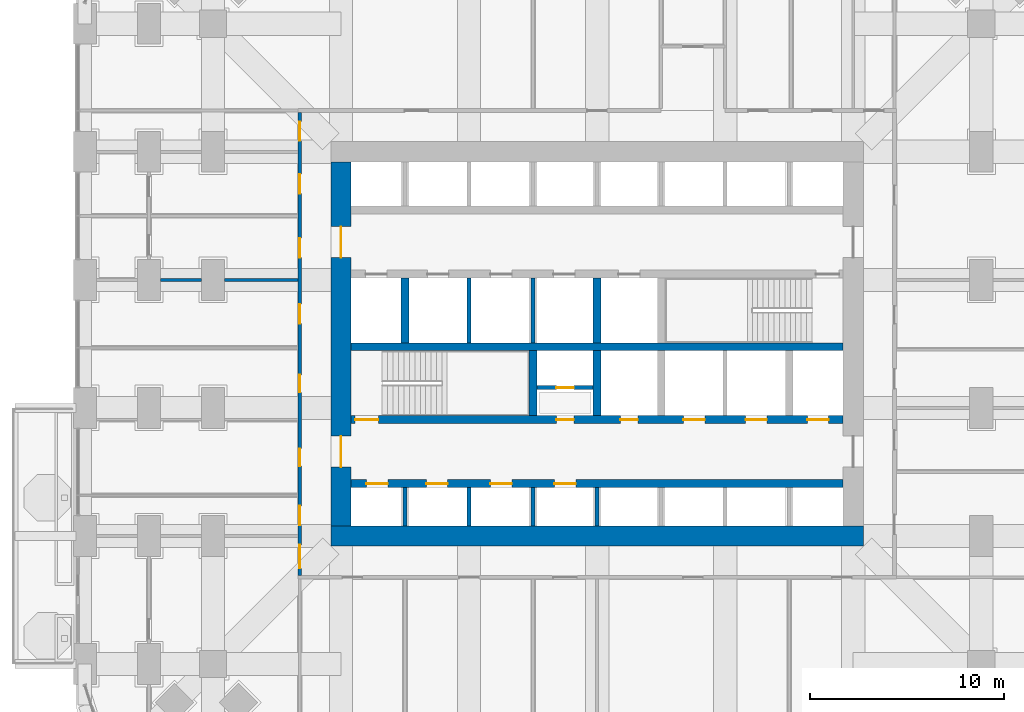
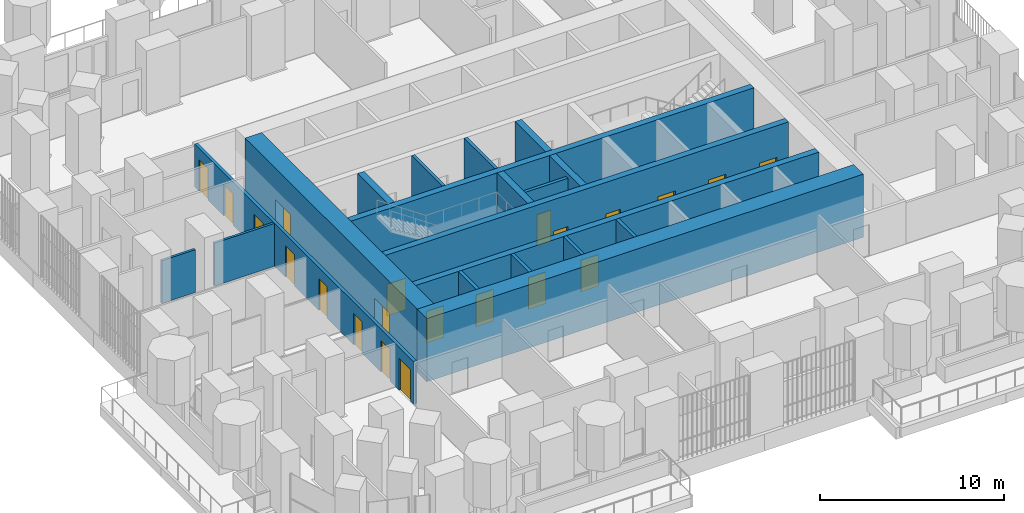
# One storey, part 19 of 27: 21 doors, 19 walls, 21 openings.
"""IFC4 building model written with IfcOpenShell, lengths in metres."""

import ifcopenshell
import ifcopenshell.guid

model = None  # the IFC model being written
_history = None  # IfcOwnerHistory: only IFC2X3 demands one
_inside = {}  # id of a spatial element -> (the spatial element, [elements in it])
_under = {}  # id of a project, library or spatial element -> (it, [spatial elements below it])
_declared = {}  # id of a project -> (the project, [libraries it declares])
_typed = {}  # id of a type object -> (the type object, [elements of that type])
_made_of = {}  # id of a material, layer set ... -> (it, [elements and type objects made of it])


def new_model(schema):
    """Start an empty IFC model of exactly this schema.

    Asked for "IFC4X3", IfcOpenShell would pick the latest addendum, in which some entities
    have other attributes; the version numbers below select the first issue.
    IFC2X3 requires an IfcOwnerHistory on every rooted entity: one is made here for all.
    """
    global model, _history
    if schema == "IFC4X3":
        model = ifcopenshell.file(schema_version=(4, 3, 0, 0))
    else:
        model = ifcopenshell.file(schema=schema)
    _inside.clear()
    _under.clear()
    _declared.clear()
    _typed.clear()
    _made_of.clear()
    _history = None
    if model.schema == "IFC2X3":
        org = make("IfcOrganization", Name="unknown")
        user = make(
            "IfcPersonAndOrganization",
            ThePerson=make("IfcPerson", FamilyName="unknown"),
            TheOrganization=org,
        )
        app = make(
            "IfcApplication",
            ApplicationDeveloper=org,
            Version="unknown",
            ApplicationFullName="unknown",
            ApplicationIdentifier="unknown",
        )
        _history = make(
            "IfcOwnerHistory",
            OwningUser=user,
            OwningApplication=app,
            ChangeAction="ADDED",
            CreationDate=0,
        )
    return model


def make(cls, **values):
    """One entity of the class cls with the attributes given. An attribute that is None is left unset."""
    return model.create_entity(
        cls, **{name: value for name, value in values.items() if value is not None}
    )


def rooted(cls, **values):
    """An entity with a GlobalId (a new one), such as an element, a storey or a relation."""
    return make(cls, GlobalId=ifcopenshell.guid.new(), OwnerHistory=_history, **values)


def si_unit(unit_type, name, prefix=None):
    """IfcSIUnit, for example si_unit("LENGTHUNIT", "METRE", prefix="MILLI")."""
    return make("IfcSIUnit", UnitType=unit_type, Prefix=prefix, Name=name)


def assignment(units):
    """IfcUnitAssignment: the units of a project."""
    return None if units is None else make("IfcUnitAssignment", Units=units)


def point(xyz):
    """IfcCartesianPoint."""
    return None if xyz is None else make("IfcCartesianPoint", Coordinates=xyz)


def direction(xyz):
    """IfcDirection."""
    return None if xyz is None else make("IfcDirection", DirectionRatios=xyz)


def frame(location, z_axis=None, x_axis=None):
    """IfcAxis2Placement3D, a coordinate frame: its origin and axes. An axis left out is left unset."""
    return make(
        "IfcAxis2Placement3D",
        Location=point(location),
        Axis=direction(z_axis),
        RefDirection=direction(x_axis),
    )


def frame_2d(location, x_axis=None):
    """IfcAxis2Placement2D, a coordinate frame in the plane: its origin and x axis."""
    return make(
        "IfcAxis2Placement2D", Location=point(location), RefDirection=direction(x_axis)
    )


def origin():
    """The frame at (0, 0, 0) with its axes left unset."""
    return frame((0.0, 0.0, 0.0))


def place(relative_to, where):
    """IfcLocalPlacement: puts the frame where relative to a parent placement (None: the world)."""
    return make(
        "IfcLocalPlacement", PlacementRelTo=relative_to, RelativePlacement=where
    )


def context(
    kind, dimensions, precision=None, world=None, true_north=None, identifier=None
):
    """IfcGeometricRepresentationContext, for example the 3D "Model" context."""
    return make(
        "IfcGeometricRepresentationContext",
        ContextIdentifier=identifier,
        ContextType=kind,
        CoordinateSpaceDimension=dimensions,
        Precision=precision,
        WorldCoordinateSystem=world,
        TrueNorth=true_north,
    )


def subcontext(parent, identifier, kind, view, scale=None):
    """IfcGeometricRepresentationSubContext, for example "Body" below "Model"."""
    return make(
        "IfcGeometricRepresentationSubContext",
        ContextIdentifier=identifier,
        ContextType=kind,
        ParentContext=parent,
        TargetScale=scale,
        TargetView=view,
    )


def project(units=None, contexts=None):
    """IfcProject with its units and contexts."""
    return rooted(
        "IfcProject",
        Name="project",
        RepresentationContexts=contexts,
        UnitsInContext=assignment(units),
    )


def spatial(cls, under=None, at=None, **own):
    """A site, building, storey or space (cls), placed at a placement, below another one or the project."""
    s = rooted(cls, ObjectPlacement=at, **own)
    if under is not None:
        _under.setdefault(under.id(), (under, []))[1].append(s)
    return s


def profile(cls, at=None, kind="AREA", **sizes):
    """A parametric profile (cls). Its sizes go by their IFC names, for example OverallWidth=200.0."""
    return make(cls, ProfileType=kind, Position=at, **sizes)


def rectangle(**sizes):
    """IfcRectangleProfileDef."""
    return profile("IfcRectangleProfileDef", **sizes)


def extrude(swept, where, along, depth):
    """IfcExtrudedAreaSolid: the profile swept, set in the frame where, extruded along a direction by depth."""
    return make(
        "IfcExtrudedAreaSolid",
        SweptArea=swept,
        Position=where,
        ExtrudedDirection=direction(along),
        Depth=depth,
    )


def shape(context_of_items, identifier, shape_type, items):
    """IfcShapeRepresentation: the items that make up one representation, for example the "Body"."""
    return make(
        "IfcShapeRepresentation",
        ContextOfItems=context_of_items,
        RepresentationIdentifier=identifier,
        RepresentationType=shape_type,
        Items=items,
    )


def material(Name=None, Category=None):
    """IfcMaterial."""
    return make("IfcMaterial", Name=Name, Category=Category)


def layer(
    of_material, thickness, ventilated=None, Name=None, Category=None, Priority=None
):
    """IfcMaterialLayer: one layer of a wall or slab, of a material (None: an air gap)."""
    return make(
        "IfcMaterialLayer",
        Material=of_material,
        LayerThickness=thickness,
        IsVentilated=ventilated,
        Name=Name,
        Category=Category,
        Priority=Priority,
    )


def layer_set(layers, Name=None):
    """IfcMaterialLayerSet."""
    return make("IfcMaterialLayerSet", MaterialLayers=layers, LayerSetName=Name)


def made_of(thing, what):
    """Note that an element or type object is made of a material, layer set ...; save() writes the relation."""
    if what is not None:
        _made_of.setdefault(what.id(), (what, []))[1].append(thing)
    return thing


def type_object(cls, material=None, **own):
    """A type object (cls), such as IfcWallType, which elements share."""
    return made_of(rooted(cls, **own), material)


def element(
    cls,
    number,
    at=None,
    inside=None,
    cuts=None,
    type_object=None,
    material=None,
    context=None,
    identifier="Body",
    shape_type=None,
    held_by="IfcProductDefinitionShape",
    body=None,
    shapes=None,
    **own,
):
    """One element of the class cls, such as IfcWall. Its Tag is "e" and its number.

    at: its placement. inside: the storey or other place that contains it. cuts: it is an
    opening in that element (IfcRelVoidsElement). A single representation is given by context,
    identifier, shape_type and body (its items); several are given by shapes. held_by: the class
    of the entity that holds the representations. save() writes the other relations.
    """
    e = rooted(cls, Tag="e%d" % number, ObjectPlacement=at, **own)
    if body is not None:
        shapes = [shape(context, identifier, shape_type, body)]
    if shapes is not None:
        e.Representation = make(held_by, Representations=shapes)
    if inside is not None:
        _inside.setdefault(inside.id(), (inside, []))[1].append(e)
    if cuts is not None:
        rooted(
            "IfcRelVoidsElement", RelatingBuildingElement=cuts, RelatedOpeningElement=e
        )
    if type_object is not None:
        _typed.setdefault(type_object.id(), (type_object, []))[1].append(e)
    return made_of(e, material)


def fill(opening, filler):
    """IfcRelFillsElement: the door or window that sits in an opening."""
    return rooted(
        "IfcRelFillsElement",
        RelatingOpeningElement=opening,
        RelatedBuildingElement=filler,
    )


def aggregate(whole, parts):
    """IfcRelAggregates: a whole, such as a stair, and the parts it consists of."""
    return rooted("IfcRelAggregates", RelatingObject=whole, RelatedObjects=parts)


def save(model, path):
    """Write the relations noted so far, then the file.

    IfcRelAggregates (storeys below a building ...), IfcRelContainedInSpatialStructure (elements
    in a storey), IfcRelDefinesByType, IfcRelAssociatesMaterial and IfcRelDeclares: one each for
    every whole, place, type object, material and project.
    """
    for whole, parts in _under.values():
        aggregate(whole, parts)
    for where, things in _inside.values():
        rooted(
            "IfcRelContainedInSpatialStructure",
            RelatedElements=things,
            RelatingStructure=where,
        )
    for kind, things in _typed.values():
        rooted("IfcRelDefinesByType", RelatedObjects=things, RelatingType=kind)
    for what, things in _made_of.values():
        rooted("IfcRelAssociatesMaterial", RelatedObjects=things, RelatingMaterial=what)
    for by, libraries in _declared.values():
        rooted("IfcRelDeclares", RelatingContext=by, RelatedDefinitions=libraries)
    model.write(path)


model = new_model("IFC4")

# Units and contexts
model_context = context("Model", 3, precision=1e-05, world=origin(), true_north=direction((0.0, 1.0)))
body_context = subcontext(model_context, "Body", "Model", "MODEL_VIEW")
ifc_project = project(units=[si_unit("LENGTHUNIT", "METRE"), si_unit("AREAUNIT", "SQUARE_METRE"), si_unit("VOLUMEUNIT", "CUBIC_METRE"), si_unit("PLANEANGLEUNIT", "RADIAN"), si_unit("MASSUNIT", "GRAM", prefix="KILO")], contexts=[model_context])

# Site, building, storey
site_placement = place(None, origin())
site = spatial("IfcSite", under=ifc_project, at=site_placement, CompositionType="ELEMENT")
building_placement = place(site_placement, origin())
building = spatial("IfcBuilding", under=site, at=building_placement, Name="Cobogo Forest Laboratory Tower", CompositionType="ELEMENT")
storey_placement = place(building_placement, frame((0.0, 0.0, 38.10009765625)))
storey = spatial("IfcBuildingStorey", under=building, at=storey_placement, Name="L08", CompositionType="ELEMENT", Elevation=38.10009765625)

# Wall, openings, doors
ifc_material_1 = material(Name="Concrete HA-50 (C50/60)", Category="concrete")
ifc_layer_1 = layer(ifc_material_1, 0.39990234375)
ifc_layer_set_1 = layer_set([ifc_layer_1], Name="CI400 core inner wall 400")
wall_type_1 = type_object("IfcWallType", Name="CI400 core inner wall 400", PredefinedType="SHEAR", material=ifc_layer_set_1)
wall_1_placement = place(storey_placement, frame((13.72509765625, 15.89990234375, 0.0), z_axis=(0.0, 0.0, 1.0), x_axis=(1.0, 0.0, 0.0)))
wall_1 = element("IfcWall", 1, at=wall_1_placement, inside=storey, type_object=wall_type_1, Name="Core wall CI-15.9 L08", PredefinedType="SHEAR", context=body_context, shape_type="SweptSolid", body=[
    extrude(rectangle(XDim=25.349853515625, YDim=0.39990234375, at=frame_2d((12.6748046875, 0.0))), origin(), (0.0, 0.0, 1.0), 4.199951171875),
])
opening_1_placement = place(wall_1_placement, frame((0.78759765625, 0.0, 0.0)))
opening_1 = element("IfcOpeningElement", 2, at=opening_1_placement, cuts=wall_1, Name="Opening L08-LD-LA1", PredefinedType="OPENING", context=body_context, shape_type="SweptSolid", body=[
    extrude(rectangle(XDim=1.10009765625, YDim=2.10009765625, at=frame_2d((0.550048828125, 1.050048828125))), frame((0.0, 0.2099609375, 0.0), z_axis=(0.0, -1.0, 0.0), x_axis=(1.0, 0.0, 0.0)), (0.0, 0.0, 1.0), 0.419921875),
])
opening_2_placement = place(wall_1_placement, frame((3.875, 0.0, 0.0)))
opening_2 = element("IfcOpeningElement", 3, at=opening_2_placement, cuts=wall_1, Name="Opening L08-LD-LA2", PredefinedType="OPENING", context=body_context, shape_type="SweptSolid", body=[
    extrude(rectangle(XDim=1.10009765625, YDim=2.10009765625, at=frame_2d((0.550048828125, 1.050048828125))), frame((0.0, 0.2099609375, 0.0), z_axis=(0.0, -1.0, 0.0), x_axis=(1.0, 0.0, 0.0)), (0.0, 0.0, 1.0), 0.419921875),
])
opening_3_placement = place(wall_1_placement, frame((7.175048828125, 0.0, 0.0)))
opening_3 = element("IfcOpeningElement", 4, at=opening_3_placement, cuts=wall_1, Name="Opening L08-LD-LA3", PredefinedType="OPENING", context=body_context, shape_type="SweptSolid", body=[
    extrude(rectangle(XDim=1.10009765625, YDim=2.10009765625, at=frame_2d((0.550048828125, 1.050048828125))), frame((0.0, 0.2099609375, 0.0), z_axis=(0.0, -1.0, 0.0), x_axis=(1.0, 0.0, 0.0)), (0.0, 0.0, 1.0), 0.419921875),
])
opening_4_placement = place(wall_1_placement, frame((10.47509765625, 0.0, 0.0)))
opening_4 = element("IfcOpeningElement", 5, at=opening_4_placement, cuts=wall_1, Name="Opening L08-LD-LA4", PredefinedType="OPENING", context=body_context, shape_type="SweptSolid", body=[
    extrude(rectangle(XDim=1.10009765625, YDim=2.10009765625, at=frame_2d((0.550048828125, 1.050048828125))), frame((0.0, 0.2099609375, 0.0), z_axis=(0.0, -1.0, 0.0), x_axis=(1.0, 0.0, 0.0)), (0.0, 0.0, 1.0), 0.419921875),
])
ifc_material_2 = material(Name="Stainless steel lift door", Category="steel")
door_type_1 = type_object("IfcDoorType", Name="LD lift landing door 1100", OperationType="DOUBLE_DOOR_SLIDING", PredefinedType="DOOR", material=ifc_material_2)
door_1_placement = place(opening_1_placement, origin())
door_1 = element("IfcDoor", 6, at=door_1_placement, inside=storey, type_object=door_type_1, Name="Lift landing door LA1 L08", OperationType="DOUBLE_DOOR_SLIDING", OverallHeight=2.10009765625, OverallWidth=1.10009765625, PredefinedType="DOOR", context=body_context, shape_type="SweptSolid", body=[
    extrude(rectangle(XDim=1.10009765625, YDim=2.10009765625, at=frame_2d((0.550048828125, 1.050048828125))), frame((0.0, 0.02490234375, 0.0), z_axis=(0.0, -1.0, 0.0), x_axis=(1.0, 0.0, 0.0)), (0.0, 0.0, 1.0), 0.050048828125),
])
fill(opening_1, door_1)
door_2_placement = place(opening_2_placement, origin())
door_2 = element("IfcDoor", 7, at=door_2_placement, inside=storey, type_object=door_type_1, Name="Lift landing door LA2 L08", OperationType="DOUBLE_DOOR_SLIDING", OverallHeight=2.10009765625, OverallWidth=1.10009765625, PredefinedType="DOOR", context=body_context, shape_type="SweptSolid", body=[
    extrude(rectangle(XDim=1.10009765625, YDim=2.10009765625, at=frame_2d((0.550048828125, 1.050048828125))), frame((0.0, 0.02490234375, 0.0), z_axis=(0.0, -1.0, 0.0), x_axis=(1.0, 0.0, 0.0)), (0.0, 0.0, 1.0), 0.050048828125),
])
fill(opening_2, door_2)
door_3_placement = place(opening_3_placement, origin())
door_3 = element("IfcDoor", 8, at=door_3_placement, inside=storey, type_object=door_type_1, Name="Lift landing door LA3 L08", OperationType="DOUBLE_DOOR_SLIDING", OverallHeight=2.10009765625, OverallWidth=1.10009765625, PredefinedType="DOOR", context=body_context, shape_type="SweptSolid", body=[
    extrude(rectangle(XDim=1.10009765625, YDim=2.10009765625, at=frame_2d((0.550048828125, 1.050048828125))), frame((0.0, 0.02490234375, 0.0), z_axis=(0.0, -1.0, 0.0), x_axis=(1.0, 0.0, 0.0)), (0.0, 0.0, 1.0), 0.050048828125),
])
fill(opening_3, door_3)
door_4_placement = place(opening_4_placement, origin())
door_4 = element("IfcDoor", 9, at=door_4_placement, inside=storey, type_object=door_type_1, Name="Lift landing door LA4 L08", OperationType="DOUBLE_DOOR_SLIDING", OverallHeight=2.10009765625, OverallWidth=1.10009765625, PredefinedType="DOOR", context=body_context, shape_type="SweptSolid", body=[
    extrude(rectangle(XDim=1.10009765625, YDim=2.10009765625, at=frame_2d((0.550048828125, 1.050048828125))), frame((0.0, 0.02490234375, 0.0), z_axis=(0.0, -1.0, 0.0), x_axis=(1.0, 0.0, 0.0)), (0.0, 0.0, 1.0), 0.050048828125),
])
fill(opening_4, door_4)

wall_2_placement = place(storey_placement, frame((13.72509765625, 19.199951171875, 0.0), z_axis=(0.0, 0.0, 1.0), x_axis=(1.0, 0.0, 0.0)))
wall_2 = element("IfcWall", 10, at=wall_2_placement, inside=storey, type_object=wall_type_1, Name="Core wall CI-19.2 L08", PredefinedType="SHEAR", context=body_context, shape_type="SweptSolid", body=[
    extrude(rectangle(XDim=25.349853515625, YDim=0.39990234375, at=frame_2d((12.6748046875, 0.0))), origin(), (0.0, 0.0, 1.0), 4.199951171875),
])
opening_5_placement = place(wall_2_placement, frame((10.574951171875, 0.0, 0.0)))
opening_5 = element("IfcOpeningElement", 11, at=opening_5_placement, cuts=wall_2, Name="Opening L08-D26", PredefinedType="OPENING", context=body_context, shape_type="SweptSolid", body=[
    extrude(rectangle(XDim=0.89990234375, YDim=2.10009765625, at=frame_2d((0.449951171875, 1.050048828125))), frame((0.0, 0.2099609375, 0.0), z_axis=(0.0, -1.0, 0.0), x_axis=(1.0, 0.0, 0.0)), (0.0, 0.0, 1.0), 0.419921875),
])
opening_6_placement = place(wall_2_placement, frame((13.875, 0.0, 0.0)))
opening_6 = element("IfcOpeningElement", 12, at=opening_6_placement, cuts=wall_2, Name="Opening L08-D27", PredefinedType="OPENING", context=body_context, shape_type="SweptSolid", body=[
    extrude(rectangle(XDim=0.89990234375, YDim=2.10009765625, at=frame_2d((0.449951171875, 1.050048828125))), frame((0.0, 0.2099609375, 0.0), z_axis=(0.0, -1.0, 0.0), x_axis=(1.0, 0.0, 0.0)), (0.0, 0.0, 1.0), 0.419921875),
])
opening_7_placement = place(wall_2_placement, frame((0.199951171875, 0.0, 0.0)))
opening_7 = element("IfcOpeningElement", 13, at=opening_7_placement, cuts=wall_2, Name="Opening L08-D25", PredefinedType="OPENING", context=body_context, shape_type="SweptSolid", body=[
    extrude(rectangle(XDim=1.199951171875, YDim=2.10009765625, at=frame_2d((0.60009765625, 1.050048828125))), frame((0.0, 0.2099609375, 0.0), z_axis=(0.0, -1.0, 0.0), x_axis=(1.0, 0.0, 0.0)), (0.0, 0.0, 1.0), 0.419921875),
])
opening_8_placement = place(wall_2_placement, frame((23.512451171875, 0.0, 0.0)))
opening_8 = element("IfcOpeningElement", 14, at=opening_8_placement, cuts=wall_2, Name="Opening L08-LD-FL2", PredefinedType="OPENING", context=body_context, shape_type="SweptSolid", body=[
    extrude(rectangle(XDim=1.10009765625, YDim=2.10009765625, at=frame_2d((0.550048828125, 1.050048828125))), frame((0.0, 0.2099609375, 0.0), z_axis=(0.0, -1.0, 0.0), x_axis=(1.0, 0.0, 0.0)), (0.0, 0.0, 1.0), 0.419921875),
])
opening_9_placement = place(wall_2_placement, frame((17.125, 0.0, 0.0)))
opening_9 = element("IfcOpeningElement", 15, at=opening_9_placement, cuts=wall_2, Name="Opening L08-LD-LS1", PredefinedType="OPENING", context=body_context, shape_type="SweptSolid", body=[
    extrude(rectangle(XDim=1.10009765625, YDim=2.10009765625, at=frame_2d((0.550048828125, 1.050048828125))), frame((0.0, 0.2099609375, 0.0), z_axis=(0.0, -1.0, 0.0), x_axis=(1.0, 0.0, 0.0)), (0.0, 0.0, 1.0), 0.419921875),
])
opening_10_placement = place(wall_2_placement, frame((20.324951171875, 0.0, 0.0)))
opening_10 = element("IfcOpeningElement", 16, at=opening_10_placement, cuts=wall_2, Name="Opening L08-LD-LS2", PredefinedType="OPENING", context=body_context, shape_type="SweptSolid", body=[
    extrude(rectangle(XDim=1.10009765625, YDim=2.10009765625, at=frame_2d((0.550048828125, 1.050048828125))), frame((0.0, 0.2099609375, 0.0), z_axis=(0.0, -1.0, 0.0), x_axis=(1.0, 0.0, 0.0)), (0.0, 0.0, 1.0), 0.419921875),
])
ifc_material_3 = material(Name="Steel fire door", Category="steel")
door_type_2 = type_object("IfcDoorType", Name="DS1 protected stair door 1200 EI2 60", OperationType="SINGLE_SWING_LEFT", PredefinedType="DOOR", material=ifc_material_3)
door_5_placement = place(opening_7_placement, origin())
door_5 = element("IfcDoor", 17, at=door_5_placement, inside=storey, type_object=door_type_2, Name="Door L08-ST1", OperationType="SINGLE_SWING_LEFT", OverallHeight=2.10009765625, OverallWidth=1.199951171875, PredefinedType="DOOR", context=body_context, shape_type="SweptSolid", body=[
    extrude(rectangle(XDim=1.199951171875, YDim=2.10009765625, at=frame_2d((0.60009765625, 1.050048828125))), frame((0.0, 0.02490234375, 0.0), z_axis=(0.0, -1.0, 0.0), x_axis=(1.0, 0.0, 0.0)), (0.0, 0.0, 1.0), 0.050048828125),
])
fill(opening_7, door_5)
door_type_3 = type_object("IfcDoorType", Name="FD4 riser access door 900 EI2 60", OperationType="SINGLE_SWING_LEFT", PredefinedType="DOOR", material=ifc_material_3)
door_6_placement = place(opening_5_placement, origin())
door_6 = element("IfcDoor", 18, at=door_6_placement, inside=storey, type_object=door_type_3, Name="Door L08-R1V", OperationType="SINGLE_SWING_LEFT", OverallHeight=2.10009765625, OverallWidth=0.89990234375, PredefinedType="DOOR", context=body_context, shape_type="SweptSolid", body=[
    extrude(rectangle(XDim=0.89990234375, YDim=2.10009765625, at=frame_2d((0.449951171875, 1.050048828125))), frame((0.0, 0.02490234375, 0.0), z_axis=(0.0, -1.0, 0.0), x_axis=(1.0, 0.0, 0.0)), (0.0, 0.0, 1.0), 0.050048828125),
])
fill(opening_5, door_6)
door_7_placement = place(opening_6_placement, origin())
door_7 = element("IfcDoor", 19, at=door_7_placement, inside=storey, type_object=door_type_3, Name="Door L08-R2", OperationType="SINGLE_SWING_RIGHT", OverallHeight=2.10009765625, OverallWidth=0.89990234375, PredefinedType="DOOR", context=body_context, shape_type="SweptSolid", body=[
    extrude(rectangle(XDim=0.89990234375, YDim=2.10009765625, at=frame_2d((0.449951171875, 1.050048828125))), frame((0.0, 0.02490234375, 0.0), z_axis=(0.0, -1.0, 0.0), x_axis=(1.0, 0.0, 0.0)), (0.0, 0.0, 1.0), 0.050048828125),
])
fill(opening_6, door_7)
door_8_placement = place(opening_8_placement, origin())
door_8 = element("IfcDoor", 20, at=door_8_placement, inside=storey, type_object=door_type_1, Name="Lift landing door FL2 L08", OperationType="DOUBLE_DOOR_SLIDING", OverallHeight=2.10009765625, OverallWidth=1.10009765625, PredefinedType="DOOR", context=body_context, shape_type="SweptSolid", body=[
    extrude(rectangle(XDim=1.10009765625, YDim=2.10009765625, at=frame_2d((0.550048828125, 1.050048828125))), frame((0.0, 0.02490234375, 0.0), z_axis=(0.0, -1.0, 0.0), x_axis=(1.0, 0.0, 0.0)), (0.0, 0.0, 1.0), 0.050048828125),
])
fill(opening_8, door_8)
door_9_placement = place(opening_9_placement, origin())
door_9 = element("IfcDoor", 21, at=door_9_placement, inside=storey, type_object=door_type_1, Name="Lift landing door LS1 L08", OperationType="DOUBLE_DOOR_SLIDING", OverallHeight=2.10009765625, OverallWidth=1.10009765625, PredefinedType="DOOR", context=body_context, shape_type="SweptSolid", body=[
    extrude(rectangle(XDim=1.10009765625, YDim=2.10009765625, at=frame_2d((0.550048828125, 1.050048828125))), frame((0.0, 0.02490234375, 0.0), z_axis=(0.0, -1.0, 0.0), x_axis=(1.0, 0.0, 0.0)), (0.0, 0.0, 1.0), 0.050048828125),
])
fill(opening_9, door_9)
door_10_placement = place(opening_10_placement, origin())
door_10 = element("IfcDoor", 22, at=door_10_placement, inside=storey, type_object=door_type_1, Name="Lift landing door LS2 L08", OperationType="DOUBLE_DOOR_SLIDING", OverallHeight=2.10009765625, OverallWidth=1.10009765625, PredefinedType="DOOR", context=body_context, shape_type="SweptSolid", body=[
    extrude(rectangle(XDim=1.10009765625, YDim=2.10009765625, at=frame_2d((0.550048828125, 1.050048828125))), frame((0.0, 0.02490234375, 0.0), z_axis=(0.0, -1.0, 0.0), x_axis=(1.0, 0.0, 0.0)), (0.0, 0.0, 1.0), 0.050048828125),
])
fill(opening_10, door_10)

# Walls
wall_3_placement = place(storey_placement, frame((13.72509765625, 22.949951171875, 0.0), z_axis=(0.0, 0.0, 1.0), x_axis=(1.0, 0.0, 0.0)))
element("IfcWall", 23, at=wall_3_placement, inside=storey, type_object=wall_type_1, Name="Core wall CI-22.95 L08", PredefinedType="SHEAR", context=body_context, shape_type="SweptSolid", body=[
    extrude(rectangle(XDim=25.349853515625, YDim=0.39990234375, at=frame_2d((12.6748046875, 0.0))), origin(), (0.0, 0.0, 1.0), 4.199951171875),
])
for number, where, z_axis, x_axis, name in (
    (24, (23.10009765625, 19.39990234375, 0.0), (0.0, 0.0, 1.0), (0.0, 1.0, 0.0), "Core wall CX-23.1 L08"),
    (25, (26.39990234375, 19.39990234375, 0.0), (0.0, 0.0, 1.0), (0.0, 1.0, 0.0), "Core wall CX-26.4S L08"),
    (26, (16.5, 23.14990234375, 0.0), (0.0, 0.0, 1.0), (0.0, 1.0, 0.0), "Core wall CX-16.5 L08"),
    (27, (26.39990234375, 23.14990234375, 0.0), (0.0, 0.0, 1.0), (0.0, 1.0, 0.0), "Core wall CX-26.4N L08"),
):
    element("IfcWall", number, at=place(storey_placement, frame(where, z_axis=z_axis, x_axis=x_axis)), inside=storey, type_object=wall_type_1, Name=name, PredefinedType="SHEAR", context=body_context, shape_type="SweptSolid", body=[
        extrude(rectangle(XDim=3.35009765625, YDim=0.39990234375, at=frame_2d((1.675048828125, 0.0))), origin(), (0.0, 0.0, 1.0), 4.199951171875),
    ])
ifc_layer_2 = layer(ifc_material_1, 1.050048828125)
ifc_layer_set_2 = layer_set([ifc_layer_2], Name="CW1050 core outer wall 1050")
wall_type_2 = type_object("IfcWallType", Name="CW1050 core outer wall 1050", PredefinedType="SHEAR", material=ifc_layer_set_2)
wall_4_placement = place(storey_placement, frame((12.675048828125, 13.199951171875, 0.0), z_axis=(0.0, 0.0, 1.0), x_axis=(1.0, 0.0, 0.0)))
element("IfcWall", 28, at=wall_4_placement, inside=storey, type_object=wall_type_2, Name="Core wall CO-S L08", PredefinedType="SHEAR", context=body_context, shape_type="SweptSolid", body=[
    extrude(rectangle(XDim=27.449951171875, YDim=1.050048828125, at=frame_2d((13.72509765625, 0.0))), origin(), (0.0, 0.0, 1.0), 4.199951171875),
])

# Wall, openings, doors
wall_5_placement = place(storey_placement, frame((13.199951171875, 32.47509765625, 0.0), z_axis=(0.0, 0.0, 1.0), x_axis=(0.0, -1.0, 0.0)))
wall_5 = element("IfcWall", 29, at=wall_5_placement, inside=storey, type_object=wall_type_2, Name="Core wall CO-W L08", PredefinedType="SHEAR", context=body_context, shape_type="SweptSolid", body=[
    extrude(rectangle(XDim=18.75, YDim=1.050048828125, at=frame_2d((9.375, 0.0))), origin(), (0.0, 0.0, 1.0), 4.199951171875),
])
opening_11_placement = place(wall_5_placement, frame((14.125, 0.0, 0.0)))
opening_11 = element("IfcOpeningElement", 30, at=opening_11_placement, cuts=wall_5, Name="Opening L08-D21", PredefinedType="OPENING", context=body_context, shape_type="SweptSolid", body=[
    extrude(rectangle(XDim=1.60009765625, YDim=2.10009765625, at=frame_2d((0.800048828125, 1.050048828125))), frame((0.0, 0.534912109375, 0.0), z_axis=(0.0, -1.0, 0.0), x_axis=(1.0, 0.0, 0.0)), (0.0, 0.0, 1.0), 1.070068359375),
])
opening_12_placement = place(wall_5_placement, frame((3.324951171875, 0.0, 0.0)))
opening_12 = element("IfcOpeningElement", 31, at=opening_12_placement, cuts=wall_5, Name="Opening L08-D36", PredefinedType="OPENING", context=body_context, shape_type="SweptSolid", body=[
    extrude(rectangle(XDim=1.60009765625, YDim=2.10009765625, at=frame_2d((0.800048828125, 1.050048828125))), frame((0.0, 0.534912109375, 0.0), z_axis=(0.0, -1.0, 0.0), x_axis=(1.0, 0.0, 0.0)), (0.0, 0.0, 1.0), 1.070068359375),
])
door_type_4 = type_object("IfcDoorType", Name="DS2 protected lobby door pair 1600 EI2 60", OperationType="DOUBLE_DOOR_DOUBLE_SWING", PredefinedType="DOOR", material=ifc_material_3)
door_11_placement = place(opening_11_placement, origin())
door_11 = element("IfcDoor", 32, at=door_11_placement, inside=storey, type_object=door_type_4, Name="Door L08-CO-W-S", OperationType="DOUBLE_DOOR_DOUBLE_SWING", OverallHeight=2.10009765625, OverallWidth=1.60009765625, PredefinedType="DOOR", context=body_context, shape_type="SweptSolid", body=[
    extrude(rectangle(XDim=1.60009765625, YDim=2.10009765625, at=frame_2d((0.800048828125, 1.050048828125))), frame((0.0, 0.02490234375, 0.0), z_axis=(0.0, -1.0, 0.0), x_axis=(1.0, 0.0, 0.0)), (0.0, 0.0, 1.0), 0.050048828125),
])
fill(opening_11, door_11)
door_12_placement = place(opening_12_placement, origin())
door_12 = element("IfcDoor", 33, at=door_12_placement, inside=storey, type_object=door_type_4, Name="Door L08-CO-W-N", OperationType="DOUBLE_DOOR_DOUBLE_SWING", OverallHeight=2.10009765625, OverallWidth=1.60009765625, PredefinedType="DOOR", context=body_context, shape_type="SweptSolid", body=[
    extrude(rectangle(XDim=1.60009765625, YDim=2.10009765625, at=frame_2d((0.800048828125, 1.050048828125))), frame((0.0, 0.02490234375, 0.0), z_axis=(0.0, -1.0, 0.0), x_axis=(1.0, 0.0, 0.0)), (0.0, 0.0, 1.0), 0.050048828125),
])
fill(opening_12, door_12)

# Walls
ifc_material_4 = material(Name="Gypsum board on steel studs", Category="steel")
ifc_layer_3 = layer(ifc_material_4, 0.14990234375)
ifc_layer_set_3 = layer_set([ifc_layer_3], Name="PT1 laboratory partition 150")
wall_type_3 = type_object("IfcWallType", Name="PT1 laboratory partition 150", PredefinedType="PARTITIONING", material=ifc_layer_set_3)
wall_6_placement = place(storey_placement, frame((3.89990234375, 26.39990234375, 0.0), z_axis=(0.0, 0.0, 1.0), x_axis=(1.0, 0.0, 0.0)))
element("IfcWall", 34, at=wall_6_placement, inside=storey, type_object=wall_type_3, Name="Partition CUT-W26.4-2 L08", PredefinedType="PARTITIONING", context=body_context, shape_type="SweptSolid", body=[
    extrude(rectangle(XDim=2.10009765625, YDim=0.14990234375, at=frame_2d((1.050048828125, 0.0))), origin(), (0.0, 0.0, 1.0), 2.849853515625),
])
wall_7_placement = place(storey_placement, frame((7.199951171875, 26.39990234375, 0.0), z_axis=(0.0, 0.0, 1.0), x_axis=(1.0, 0.0, 0.0)))
element("IfcWall", 35, at=wall_7_placement, inside=storey, type_object=wall_type_3, Name="Partition CUT-W26.4-3 L08", PredefinedType="PARTITIONING", context=body_context, shape_type="SweptSolid", body=[
    extrude(rectangle(XDim=3.775146484375, YDim=0.14990234375, at=frame_2d((1.8876953125, 0.0))), origin(), (0.0, 0.0, 1.0), 2.849853515625),
])

# Wall, openings, doors
ifc_layer_4 = layer(ifc_material_4, 0.199951171875)
ifc_layer_set_4 = layer_set([ifc_layer_4], Name="PT2 fire-rated corridor partition 200")
wall_type_4 = type_object("IfcWallType", Name="PT2 fire-rated corridor partition 200", PredefinedType="PARTITIONING", material=ifc_layer_set_4)
wall_8_placement = place(storey_placement, frame((11.074951171875, 11.175048828125, 0.0), z_axis=(0.0, 0.0, 1.0), x_axis=(0.0, 1.0, 0.0)))
wall_8 = element("IfcWall", 36, at=wall_8_placement, inside=storey, type_object=wall_type_4, Name="Partition CORR-W L08", PredefinedType="PARTITIONING", context=body_context, shape_type="SweptSolid", body=[
    extrude(rectangle(XDim=23.849853515625, YDim=0.199951171875, at=frame_2d((11.9248046875, 0.0))), origin(), (0.0, 0.0, 1.0), 2.849853515625),
])
opening_13_placement = place(wall_8_placement, frame((0.362548828125, 0.0, 0.0)))
opening_13 = element("IfcOpeningElement", 37, at=opening_13_placement, cuts=wall_8, Name="Opening L08-D16", PredefinedType="OPENING", context=body_context, shape_type="SweptSolid", body=[
    extrude(rectangle(XDim=1.199951171875, YDim=2.10009765625, at=frame_2d((0.60009765625, 1.050048828125))), frame((0.0, 0.10986328125, 0.0), z_axis=(0.0, -1.0, 0.0), x_axis=(1.0, 0.0, 0.0)), (0.0, 0.0, 1.0), 0.219970703125),
])
opening_14_placement = place(wall_8_placement, frame((2.574951171875, 0.0, 0.0)))
opening_14 = element("IfcOpeningElement", 38, at=opening_14_placement, cuts=wall_8, Name="Opening L08-D18", PredefinedType="OPENING", context=body_context, shape_type="SweptSolid", body=[
    extrude(rectangle(XDim=1.0, YDim=2.10009765625, at=frame_2d((0.5, 1.050048828125))), frame((0.0, 0.10986328125, 0.0), z_axis=(0.0, -1.0, 0.0), x_axis=(1.0, 0.0, 0.0)), (0.0, 0.0, 1.0), 0.219970703125),
])
opening_15_placement = place(wall_8_placement, frame((5.625, 0.0, 0.0)))
opening_15 = element("IfcOpeningElement", 39, at=opening_15_placement, cuts=wall_8, Name="Opening L08-D20", PredefinedType="OPENING", context=body_context, shape_type="SweptSolid", body=[
    extrude(rectangle(XDim=0.89990234375, YDim=2.10009765625, at=frame_2d((0.449951171875, 1.050048828125))), frame((0.0, 0.10986328125, 0.0), z_axis=(0.0, -1.0, 0.0), x_axis=(1.0, 0.0, 0.0)), (0.0, 0.0, 1.0), 0.219970703125),
])
opening_16_placement = place(wall_8_placement, frame((9.425048828125, 0.0, 0.0)))
opening_16 = element("IfcOpeningElement", 40, at=opening_16_placement, cuts=wall_8, Name="Opening L08-D29", PredefinedType="OPENING", context=body_context, shape_type="SweptSolid", body=[
    extrude(rectangle(XDim=0.89990234375, YDim=2.10009765625, at=frame_2d((0.449951171875, 1.050048828125))), frame((0.0, 0.10986328125, 0.0), z_axis=(0.0, -1.0, 0.0), x_axis=(1.0, 0.0, 0.0)), (0.0, 0.0, 1.0), 0.219970703125),
])
opening_17_placement = place(wall_8_placement, frame((12.97509765625, 0.0, 0.0)))
opening_17 = element("IfcOpeningElement", 41, at=opening_17_placement, cuts=wall_8, Name="Opening L08-D32", PredefinedType="OPENING", context=body_context, shape_type="SweptSolid", body=[
    extrude(rectangle(XDim=1.0, YDim=2.10009765625, at=frame_2d((0.5, 1.050048828125))), frame((0.0, 0.10986328125, 0.0), z_axis=(0.0, -1.0, 0.0), x_axis=(1.0, 0.0, 0.0)), (0.0, 0.0, 1.0), 0.219970703125),
])
opening_18_placement = place(wall_8_placement, frame((16.375, 0.0, 0.0)))
opening_18 = element("IfcOpeningElement", 42, at=opening_18_placement, cuts=wall_8, Name="Opening L08-D34", PredefinedType="OPENING", context=body_context, shape_type="SweptSolid", body=[
    extrude(rectangle(XDim=1.0, YDim=2.10009765625, at=frame_2d((0.5, 1.050048828125))), frame((0.0, 0.10986328125, 0.0), z_axis=(0.0, -1.0, 0.0), x_axis=(1.0, 0.0, 0.0)), (0.0, 0.0, 1.0), 0.219970703125),
])
opening_19_placement = place(wall_8_placement, frame((19.675048828125, 0.0, 0.0)))
opening_19 = element("IfcOpeningElement", 43, at=opening_19_placement, cuts=wall_8, Name="Opening L08-D40", PredefinedType="OPENING", context=body_context, shape_type="SweptSolid", body=[
    extrude(rectangle(XDim=1.0, YDim=2.10009765625, at=frame_2d((0.5, 1.050048828125))), frame((0.0, 0.10986328125, 0.0), z_axis=(0.0, -1.0, 0.0), x_axis=(1.0, 0.0, 0.0)), (0.0, 0.0, 1.0), 0.219970703125),
])
opening_20_placement = place(wall_8_placement, frame((22.387451171875, 0.0, 0.0)))
opening_20 = element("IfcOpeningElement", 44, at=opening_20_placement, cuts=wall_8, Name="Opening L08-D41", PredefinedType="OPENING", context=body_context, shape_type="SweptSolid", body=[
    extrude(rectangle(XDim=1.0, YDim=2.10009765625, at=frame_2d((0.5, 1.050048828125))), frame((0.0, 0.10986328125, 0.0), z_axis=(0.0, -1.0, 0.0), x_axis=(1.0, 0.0, 0.0)), (0.0, 0.0, 1.0), 0.219970703125),
])
ifc_material_5 = material(Name="Timber door", Category="wood")
door_type_5 = type_object("IfcDoorType", Name="D2 laboratory door 1200 unequal pair", OperationType="DOUBLE_DOOR_SINGLE_SWING", PredefinedType="DOOR", material=ifc_material_5)
door_13_placement = place(opening_13_placement, origin())
door_13 = element("IfcDoor", 45, at=door_13_placement, inside=storey, type_object=door_type_5, Name="Door L08-W1", OperationType="DOUBLE_DOOR_SINGLE_SWING", OverallHeight=2.10009765625, OverallWidth=1.199951171875, PredefinedType="DOOR", context=body_context, shape_type="SweptSolid", body=[
    extrude(rectangle(XDim=1.199951171875, YDim=2.10009765625, at=frame_2d((0.60009765625, 1.050048828125))), frame((0.0, 0.02490234375, 0.0), z_axis=(0.0, -1.0, 0.0), x_axis=(1.0, 0.0, 0.0)), (0.0, 0.0, 1.0), 0.050048828125),
])
fill(opening_13, door_13)
ifc_material_6 = material(Name="Timber fire door", Category="wood")
door_type_6 = type_object("IfcDoorType", Name="FD2 fire door 1000 EI2 30", OperationType="SINGLE_SWING_LEFT", PredefinedType="DOOR", material=ifc_material_6)
door_14_placement = place(opening_17_placement, origin())
door_14 = element("IfcDoor", 46, at=door_14_placement, inside=storey, type_object=door_type_6, Name="Door L08-SHW", OperationType="SINGLE_SWING_RIGHT", OverallHeight=2.10009765625, OverallWidth=1.0, PredefinedType="DOOR", context=body_context, shape_type="SweptSolid", body=[
    extrude(rectangle(XDim=1.0, YDim=2.10009765625, at=frame_2d((0.5, 1.050048828125))), frame((0.0, 0.02490234375, 0.0), z_axis=(0.0, -1.0, 0.0), x_axis=(1.0, 0.0, 0.0)), (0.0, 0.0, 1.0), 0.050048828125),
])
fill(opening_17, door_14)
door_15_placement = place(opening_18_placement, origin())
door_15 = element("IfcDoor", 47, at=door_15_placement, inside=storey, type_object=door_type_6, Name="Door L08-W3", OperationType="SINGLE_SWING_RIGHT", OverallHeight=2.10009765625, OverallWidth=1.0, PredefinedType="DOOR", context=body_context, shape_type="SweptSolid", body=[
    extrude(rectangle(XDim=1.0, YDim=2.10009765625, at=frame_2d((0.5, 1.050048828125))), frame((0.0, 0.02490234375, 0.0), z_axis=(0.0, -1.0, 0.0), x_axis=(1.0, 0.0, 0.0)), (0.0, 0.0, 1.0), 0.050048828125),
])
fill(opening_18, door_15)
door_16_placement = place(opening_19_placement, origin())
door_16 = element("IfcDoor", 48, at=door_16_placement, inside=storey, type_object=door_type_6, Name="Door L08-W4", OperationType="SINGLE_SWING_RIGHT", OverallHeight=2.10009765625, OverallWidth=1.0, PredefinedType="DOOR", context=body_context, shape_type="SweptSolid", body=[
    extrude(rectangle(XDim=1.0, YDim=2.10009765625, at=frame_2d((0.5, 1.050048828125))), frame((0.0, 0.02490234375, 0.0), z_axis=(0.0, -1.0, 0.0), x_axis=(1.0, 0.0, 0.0)), (0.0, 0.0, 1.0), 0.050048828125),
])
fill(opening_19, door_16)
door_17_placement = place(opening_20_placement, origin())
door_17 = element("IfcDoor", 49, at=door_17_placement, inside=storey, type_object=door_type_6, Name="Door L08-W5", OperationType="SINGLE_SWING_RIGHT", OverallHeight=2.10009765625, OverallWidth=1.0, PredefinedType="DOOR", context=body_context, shape_type="SweptSolid", body=[
    extrude(rectangle(XDim=1.0, YDim=2.10009765625, at=frame_2d((0.5, 1.050048828125))), frame((0.0, 0.02490234375, 0.0), z_axis=(0.0, -1.0, 0.0), x_axis=(1.0, 0.0, 0.0)), (0.0, 0.0, 1.0), 0.050048828125),
])
fill(opening_20, door_17)
door_type_7 = type_object("IfcDoorType", Name="FD3 toilet fire door 900 EI2 30", OperationType="SINGLE_SWING_LEFT", PredefinedType="DOOR", material=ifc_material_6)
door_18_placement = place(opening_15_placement, origin())
door_18 = element("IfcDoor", 50, at=door_18_placement, inside=storey, type_object=door_type_7, Name="Door L08-WCF", OperationType="SINGLE_SWING_LEFT", OverallHeight=2.10009765625, OverallWidth=0.89990234375, PredefinedType="DOOR", context=body_context, shape_type="SweptSolid", body=[
    extrude(rectangle(XDim=0.89990234375, YDim=2.10009765625, at=frame_2d((0.449951171875, 1.050048828125))), frame((0.0, 0.02490234375, 0.0), z_axis=(0.0, -1.0, 0.0), x_axis=(1.0, 0.0, 0.0)), (0.0, 0.0, 1.0), 0.050048828125),
])
fill(opening_15, door_18)
door_19_placement = place(opening_16_placement, origin())
door_19 = element("IfcDoor", 51, at=door_19_placement, inside=storey, type_object=door_type_7, Name="Door L08-WCM", OperationType="SINGLE_SWING_LEFT", OverallHeight=2.10009765625, OverallWidth=0.89990234375, PredefinedType="DOOR", context=body_context, shape_type="SweptSolid", body=[
    extrude(rectangle(XDim=0.89990234375, YDim=2.10009765625, at=frame_2d((0.449951171875, 1.050048828125))), frame((0.0, 0.02490234375, 0.0), z_axis=(0.0, -1.0, 0.0), x_axis=(1.0, 0.0, 0.0)), (0.0, 0.0, 1.0), 0.050048828125),
])
fill(opening_16, door_19)
door_type_8 = type_object("IfcDoorType", Name="FDA1 accessible toilet fire door 1000 EI2 30", OperationType="SINGLE_SWING_RIGHT", PredefinedType="DOOR", material=ifc_material_6)
door_20_placement = place(opening_14_placement, origin())
door_20 = element("IfcDoor", 52, at=door_20_placement, inside=storey, type_object=door_type_8, Name="Door L08-WCA", OperationType="SINGLE_SWING_LEFT", OverallHeight=2.10009765625, OverallWidth=1.0, PredefinedType="DOOR", context=body_context, shape_type="SweptSolid", body=[
    extrude(rectangle(XDim=1.0, YDim=2.10009765625, at=frame_2d((0.5, 1.050048828125))), frame((0.0, 0.02490234375, 0.0), z_axis=(0.0, -1.0, 0.0), x_axis=(1.0, 0.0, 0.0)), (0.0, 0.0, 1.0), 0.050048828125),
])
fill(opening_14, door_20)

# Wall, opening, door
wall_9_placement = place(storey_placement, frame((23.300048828125, 20.85009765625, 0.0), z_axis=(0.0, 0.0, 1.0), x_axis=(1.0, 0.0, 0.0)))
wall_9 = element("IfcWall", 53, at=wall_9_placement, inside=storey, type_object=wall_type_4, Name="Partition RSPLIT-R1 L08", PredefinedType="PARTITIONING", context=body_context, shape_type="SweptSolid", body=[
    extrude(rectangle(XDim=2.89990234375, YDim=0.199951171875, at=frame_2d((1.449951171875, 0.0))), origin(), (0.0, 0.0, 1.0), 3.89990234375),
])
opening_21_placement = place(wall_9_placement, frame((1.0, 0.0, 0.0)))
opening_21 = element("IfcOpeningElement", 54, at=opening_21_placement, cuts=wall_9, Name="Opening L08-D28", PredefinedType="OPENING", context=body_context, shape_type="SweptSolid", body=[
    extrude(rectangle(XDim=0.89990234375, YDim=2.10009765625, at=frame_2d((0.449951171875, 1.050048828125))), frame((0.0, 0.10986328125, 0.0), z_axis=(0.0, -1.0, 0.0), x_axis=(1.0, 0.0, 0.0)), (0.0, 0.0, 1.0), 0.219970703125),
])
door_21_placement = place(opening_21_placement, origin())
door_21 = element("IfcDoor", 55, at=door_21_placement, inside=storey, type_object=door_type_3, Name="Door L08-R1", OperationType="SINGLE_SWING_LEFT", OverallHeight=2.10009765625, OverallWidth=0.89990234375, PredefinedType="DOOR", context=body_context, shape_type="SweptSolid", body=[
    extrude(rectangle(XDim=0.89990234375, YDim=2.10009765625, at=frame_2d((0.449951171875, 1.050048828125))), frame((0.0, 0.02490234375, 0.0), z_axis=(0.0, -1.0, 0.0), x_axis=(1.0, 0.0, 0.0)), (0.0, 0.0, 1.0), 0.050048828125),
])
fill(opening_21, door_21)

# Walls
ifc_material_7 = material(Name="Concrete block", Category="concrete")
ifc_layer_5 = layer(ifc_material_7, 0.199951171875)
ifc_layer_set_5 = layer_set([ifc_layer_5], Name="SW200 lift shaft separator 200")
wall_type_5 = type_object("IfcWallType", Name="SW200 lift shaft separator 200", PredefinedType="PARTITIONING", material=ifc_layer_set_5)
for number, where, z_axis, x_axis, name in (
    (56, (16.5, 13.72509765625, 0.0), (0.0, 0.0, 1.0), (0.0, 1.0, 0.0), "Core wall SEP-S1 L08"),
    (57, (19.800048828125, 13.72509765625, 0.0), (0.0, 0.0, 1.0), (0.0, 1.0, 0.0), "Core wall SEP-S2 L08"),
    (58, (23.10009765625, 13.72509765625, 0.0), (0.0, 0.0, 1.0), (0.0, 1.0, 0.0), "Core wall SEP-S3 L08"),
    (59, (26.39990234375, 13.72509765625, 0.0), (0.0, 0.0, 1.0), (0.0, 1.0, 0.0), "Core wall SEP-S4 L08"),
):
    element("IfcWall", number, at=place(storey_placement, frame(where, z_axis=z_axis, x_axis=x_axis)), inside=storey, type_object=wall_type_5, Name=name, PredefinedType="PARTITIONING", context=body_context, shape_type="SweptSolid", body=[
        extrude(rectangle(XDim=1.974853515625, YDim=0.199951171875, at=frame_2d((0.9873046875, 0.0))), origin(), (0.0, 0.0, 1.0), 4.199951171875),
    ])
for number, where, z_axis, x_axis, name in (
    (60, (19.800048828125, 23.14990234375, 0.0), (0.0, 0.0, 1.0), (0.0, 1.0, 0.0), "Core wall SEP-M19.8 L08"),
    (61, (23.10009765625, 23.14990234375, 0.0), (0.0, 0.0, 1.0), (0.0, 1.0, 0.0), "Core wall SEP-M23.1 L08"),
):
    element("IfcWall", number, at=place(storey_placement, frame(where, z_axis=z_axis, x_axis=x_axis)), inside=storey, type_object=wall_type_5, Name=name, PredefinedType="PARTITIONING", context=body_context, shape_type="SweptSolid", body=[
        extrude(rectangle(XDim=3.35009765625, YDim=0.199951171875, at=frame_2d((1.675048828125, 0.0))), origin(), (0.0, 0.0, 1.0), 4.199951171875),
    ])

save(model, "model.ifc")
